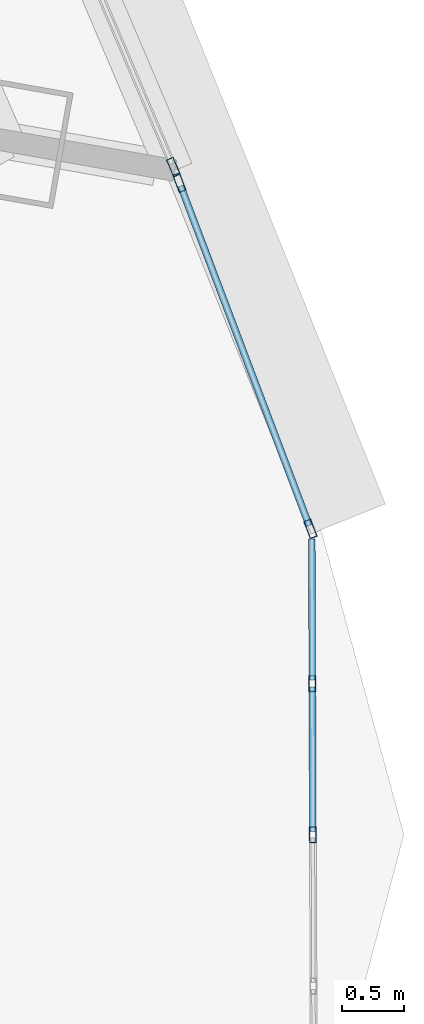
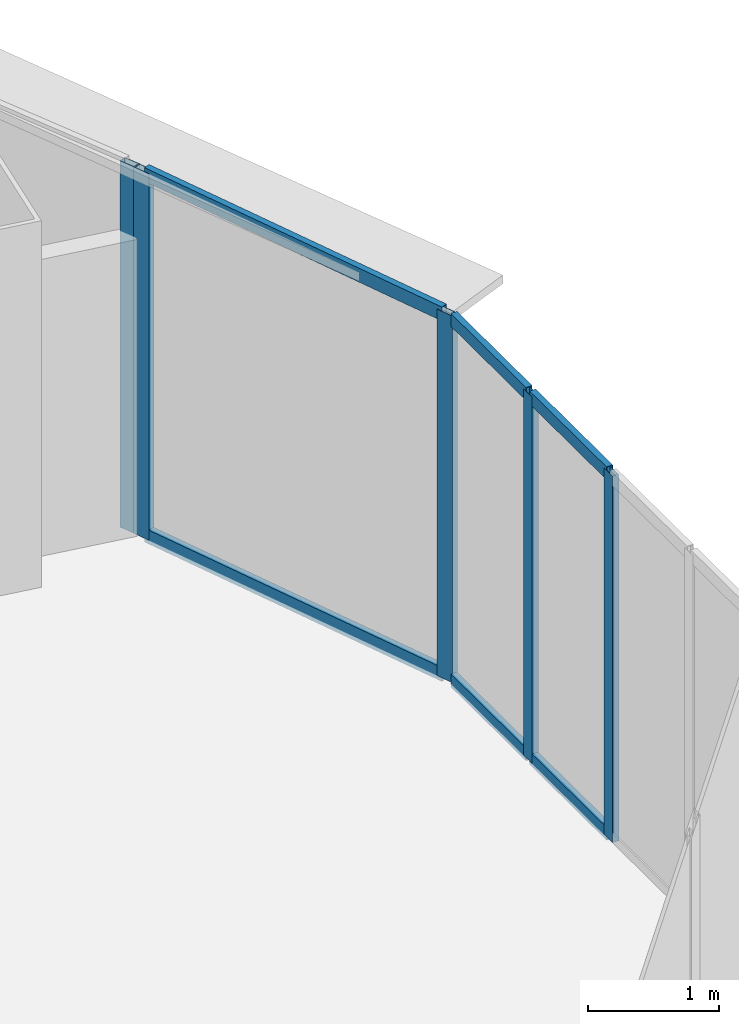
# One storey, part 26 of 42: 11 members, 3 elements without a shape of their own.
"""IFC4 building model written with IfcOpenShell, lengths in metres."""

from ifc_helpers import new_model, si_unit, direction, frame, origin, origin_2d, place, context, subcontext, project, spatial, hollow_rectangle, extrude, source, transform, mapped, material, layer, layer_set, material_profile, profile_set, type_object, element, aggregate, save


model = new_model("IFC4")

# Units and contexts
model_context = context("Model", 3, precision=1e-05, world=origin(), true_north=direction((0.0, 1.0)))
body_context = subcontext(model_context, "Body", "Model", "MODEL_VIEW")
ifc_project = project(units=[si_unit("LENGTHUNIT", "METRE"), si_unit("AREAUNIT", "SQUARE_METRE"), si_unit("VOLUMEUNIT", "CUBIC_METRE"), si_unit("PLANEANGLEUNIT", "RADIAN"), si_unit("MASSUNIT", "GRAM", prefix="KILO"), si_unit("THERMODYNAMICTEMPERATUREUNIT", "KELVIN"), si_unit("POWERUNIT", "WATT")], contexts=[model_context])

# Site, building, storey
site_placement = place(None, origin())
site = spatial("IfcSite", under=ifc_project, at=site_placement, CompositionType="ELEMENT")
building_placement = place(site_placement, origin())
building = spatial("IfcBuilding", under=site, at=building_placement, Name="Yunzhuo Pagoda Commons", CompositionType="ELEMENT")
storey_placement = place(building_placement, frame((0.0, 0.0, 151.909912109375)))
storey = spatial("IfcBuildingStorey", under=building, at=storey_placement, Name="L38", CompositionType="ELEMENT", Elevation=151.909912109375)

# Curtain wall, member
ifc_material = material(Name="Anodized aluminium 6063-T6", Category="aluminium")
ifc_layer_1 = layer(ifc_material, 0.14990234375)
ifc_layer_set_1 = layer_set([ifc_layer_1], Name="Anodized aluminium 6063-T6")
curtain_wall_type_1 = type_object("IfcCurtainWallType", Name="CW-MID Mid-Zone Ribbon Curtain Wall", PredefinedType="NOTDEFINED", material=ifc_layer_set_1)
curtain_wall_1_placement = place(storey_placement, origin())
curtain_wall_1 = element("IfcCurtainWall", 1, at=curtain_wall_1_placement, inside=storey, type_object=curtain_wall_type_1, Name="L38 curtain wall CW-L38-F2B2", PredefinedType="NOTDEFINED")
ifc_material_profile_1 = material_profile(ifc_material, hollow_rectangle(XDim=0.06005859375, YDim=0.14990234375, WallThickness=0.00390625, at=origin_2d()), Name="Anodized aluminium 6063-T6")
ifc_profile_set_1 = profile_set([ifc_material_profile_1], Name="Anodized aluminium 6063-T6")
member_type_1 = type_object("IfcMemberType", Name="CW-MID-M Mullion RHS 150x60x4", PredefinedType="MULLION", material=ifc_profile_set_1)
shared_shape_1 = source(origin(), body_context, "Body", "SweptSolid", [
    extrude(hollow_rectangle(XDim=0.06005859375, YDim=0.14990234375, WallThickness=0.00390625, at=origin_2d()), origin(), (0.0, 0.0, 1.0), 3.420166015625),
])
member_1_placement = place(storey_placement, frame((86.3583984375, 26.9619140625, 0.0), z_axis=(0.0, 0.0, 1.0), x_axis=(-0.92021678471, -0.391409081572, 0.0)))
member_1 = element("IfcMember", 2, at=member_1_placement, type_object=member_type_1, Name="CW mullion 1", PredefinedType="MULLION", context=body_context, shape_type="MappedRepresentation", body=[
    mapped(shared_shape_1, transform((0.0, 0.0, 0.0), scale=1.0)),
])
aggregate(curtain_wall_1, [member_1])

# Curtain wall, members
curtain_wall_2_placement = place(storey_placement, origin())
curtain_wall_2 = element("IfcCurtainWall", 3, at=curtain_wall_2_placement, inside=storey, type_object=curtain_wall_type_1, Name="L38 curtain wall CW-L38-F2B1", PredefinedType="NOTDEFINED")
member_2_placement = place(storey_placement, frame((87.46826171875, 24.032958984375, 0.0), z_axis=(0.0, 0.0, 1.0), x_axis=(-0.935246751482, -0.35399648846, 0.0)))
member_2 = element("IfcMember", 4, at=member_2_placement, type_object=member_type_1, Name="CW mullion 1", PredefinedType="MULLION", context=body_context, shape_type="MappedRepresentation", body=[
    mapped(shared_shape_1, transform((0.0, 0.0, 0.0), scale=1.0)),
])
member_3_placement = place(storey_placement, frame((86.4072265625, 26.836181640625, 0.0), z_axis=(0.0, 0.0, 1.0), x_axis=(-0.935246751482, -0.35399648846, 0.0)))
member_3 = element("IfcMember", 5, at=member_3_placement, type_object=member_type_1, Name="CW mullion 2", PredefinedType="MULLION", context=body_context, shape_type="MappedRepresentation", body=[
    mapped(shared_shape_1, transform((0.0, 0.0, 0.0), scale=1.0)),
])

ifc_layer_2 = layer(ifc_material, 0.1298828125)
ifc_layer_set_2 = layer_set([ifc_layer_2], Name="Anodized aluminium 6063-T6")
curtain_wall_type_2 = type_object("IfcCurtainWallType", Name="CW-VTX Rounded Corner Curtain Wall", PredefinedType="NOTDEFINED", material=ifc_layer_set_2)
curtain_wall_3_placement = place(storey_placement, origin())
curtain_wall_3 = element("IfcCurtainWall", 6, at=curtain_wall_3_placement, inside=storey, type_object=curtain_wall_type_2, Name="L38 curtain wall CW-L38-VTX2S2", PredefinedType="NOTDEFINED")
ifc_material_profile_2 = material_profile(ifc_material, hollow_rectangle(XDim=0.054931640625, YDim=0.1298828125, WallThickness=0.00341796875, at=origin_2d()), Name="Anodized aluminium 6063-T6")
ifc_profile_set_2 = profile_set([ifc_material_profile_2], Name="Anodized aluminium 6063-T6")
member_type_2 = type_object("IfcMemberType", Name="CW-VTX-M Mullion RHS 130x55x3.5", PredefinedType="MULLION", material=ifc_profile_set_2)
shared_shape_2 = source(origin(), body_context, "Body", "SweptSolid", [
    extrude(hollow_rectangle(XDim=0.054931640625, YDim=0.1298828125, WallThickness=0.00341796875, at=origin_2d()), origin(), (0.0, 0.0, 1.0), 3.420166015625),
])
member_4_placement = place(storey_placement, frame((87.48779296875, 21.55615234375, 0.0), z_axis=(0.0, 0.0, 1.0), x_axis=(-0.999993542566, -0.00359372042, 0.0)))
member_4 = element("IfcMember", 7, at=member_4_placement, type_object=member_type_2, Name="CW mullion 3", PredefinedType="MULLION", context=body_context, shape_type="MappedRepresentation", body=[
    mapped(shared_shape_2, transform((0.0, 0.0, 0.0), scale=1.0)),
])
member_5_placement = place(storey_placement, frame((87.4833984375, 22.780517578125, 0.0), z_axis=(0.0, 0.0, 1.0), x_axis=(-0.999993542566, -0.00359372042, 0.0)))
member_5 = element("IfcMember", 8, at=member_5_placement, type_object=member_type_2, Name="CW mullion 4", PredefinedType="MULLION", context=body_context, shape_type="MappedRepresentation", body=[
    mapped(shared_shape_2, transform((0.0, 0.0, 0.0), scale=1.0)),
])

# Member
ifc_material_profile_3 = material_profile(ifc_material, hollow_rectangle(XDim=0.054931640625, YDim=0.1298828125, WallThickness=0.00341796875, at=origin_2d()), Name="Anodized aluminium 6063-T6")
ifc_profile_set_3 = profile_set([ifc_material_profile_3], Name="Anodized aluminium 6063-T6")
member_type_3 = type_object("IfcMemberType", Name="CW-MID-T Transom RHS 130x55x3.5", PredefinedType="USERDEFINED", material=ifc_profile_set_3)
shared_shape_3 = source(origin(), body_context, "Body", "SweptSolid", [
    extrude(hollow_rectangle(XDim=0.054931640625, YDim=0.1298828125, WallThickness=0.00341796875, at=origin_2d()), origin(), (0.0, 0.0, 1.0), 2.9375),
])
member_6_placement = place(storey_placement, frame((87.457763671875, 24.06103515625, 0.027587890625), z_axis=(-0.353972658674, 0.935255770852, 0.0), x_axis=(-0.935255770852, -0.353972658674, 0.0)))
member_6 = element("IfcMember", 9, at=member_6_placement, type_object=member_type_3, Name="CW transom 1.1", ObjectType="TRANSOM", PredefinedType="USERDEFINED", context=body_context, shape_type="MappedRepresentation", body=[
    mapped(shared_shape_3, transform((0.0, 0.0, 0.0), scale=1.0)),
])

member_7_placement = place(storey_placement, frame((87.457763671875, 24.06103515625, 3.392578125), z_axis=(-0.353972658674, 0.935255770852, 0.0), x_axis=(-0.935255770852, -0.353972658674, 0.0)))
member_7 = element("IfcMember", 10, at=member_7_placement, type_object=member_type_3, Name="CW transom 1.2", ObjectType="TRANSOM", PredefinedType="USERDEFINED", context=body_context, shape_type="MappedRepresentation", body=[
    mapped(shared_shape_3, transform((0.0, 0.0, 0.0), scale=1.0)),
])

aggregate(curtain_wall_2, [member_2, member_3, member_6, member_7])

ifc_material_profile_4 = material_profile(ifc_material, hollow_rectangle(XDim=0.054931640625, YDim=0.1201171875, WallThickness=0.00341796875, at=origin_2d()), Name="Anodized aluminium 6063-T6")
ifc_profile_set_4 = profile_set([ifc_material_profile_4], Name="Anodized aluminium 6063-T6")
member_type_4 = type_object("IfcMemberType", Name="CW-VTX-T Transom RHS 120x55x3.5", PredefinedType="USERDEFINED", material=ifc_profile_set_4)
shared_shape_4 = source(origin(), body_context, "Body", "SweptSolid", [
    extrude(hollow_rectangle(XDim=0.054931640625, YDim=0.1201171875, WallThickness=0.00341796875, at=origin_2d()), origin(), (0.0, 0.0, 1.0), 1.141845703125),
])
member_8_placement = place(storey_placement, frame((87.4833984375, 22.807861328125, 0.027587890625), z_axis=(-0.003634784627, 0.999993394149, 0.0), x_axis=(-0.999993394149, -0.003634784627, 0.0)))
member_8 = element("IfcMember", 11, at=member_8_placement, type_object=member_type_4, Name="CW transom 4.1", ObjectType="TRANSOM", PredefinedType="USERDEFINED", context=body_context, shape_type="MappedRepresentation", body=[
    mapped(shared_shape_4, transform((0.0, 0.0, 0.0), scale=1.0)),
])

member_9_placement = place(storey_placement, frame((87.4833984375, 22.807861328125, 3.392578125), z_axis=(-0.003634784627, 0.999993394149, 0.0), x_axis=(-0.999993394149, -0.003634784627, 0.0)))
member_9 = element("IfcMember", 12, at=member_9_placement, type_object=member_type_4, Name="CW transom 4.2", ObjectType="TRANSOM", PredefinedType="USERDEFINED", context=body_context, shape_type="MappedRepresentation", body=[
    mapped(shared_shape_4, transform((0.0, 0.0, 0.0), scale=1.0)),
])

shared_shape_5 = source(origin(), body_context, "Body", "SweptSolid", [
    extrude(hollow_rectangle(XDim=0.054931640625, YDim=0.1201171875, WallThickness=0.00341796875, at=origin_2d()), origin(), (0.0, 0.0, 1.0), 1.16943359375),
])
member_10_placement = place(storey_placement, frame((87.48779296875, 21.58349609375, 0.027587890625), z_axis=(-0.003757802278, 0.999992939436, 0.0), x_axis=(-0.999992939436, -0.003757802278, 0.0)))
member_10 = element("IfcMember", 13, at=member_10_placement, type_object=member_type_4, Name="CW transom 3.1", ObjectType="TRANSOM", PredefinedType="USERDEFINED", context=body_context, shape_type="MappedRepresentation", body=[
    mapped(shared_shape_5, transform((0.0, 0.0, 0.0), scale=1.0)),
])

member_11_placement = place(storey_placement, frame((87.48779296875, 21.58349609375, 3.392578125), z_axis=(-0.003757802278, 0.999992939436, 0.0), x_axis=(-0.999992939436, -0.003757802278, 0.0)))
member_11 = element("IfcMember", 14, at=member_11_placement, type_object=member_type_4, Name="CW transom 3.2", ObjectType="TRANSOM", PredefinedType="USERDEFINED", context=body_context, shape_type="MappedRepresentation", body=[
    mapped(shared_shape_5, transform((0.0, 0.0, 0.0), scale=1.0)),
])

aggregate(curtain_wall_3, [member_4, member_5, member_10, member_11, member_8, member_9])

save(model, "model.ifc")
